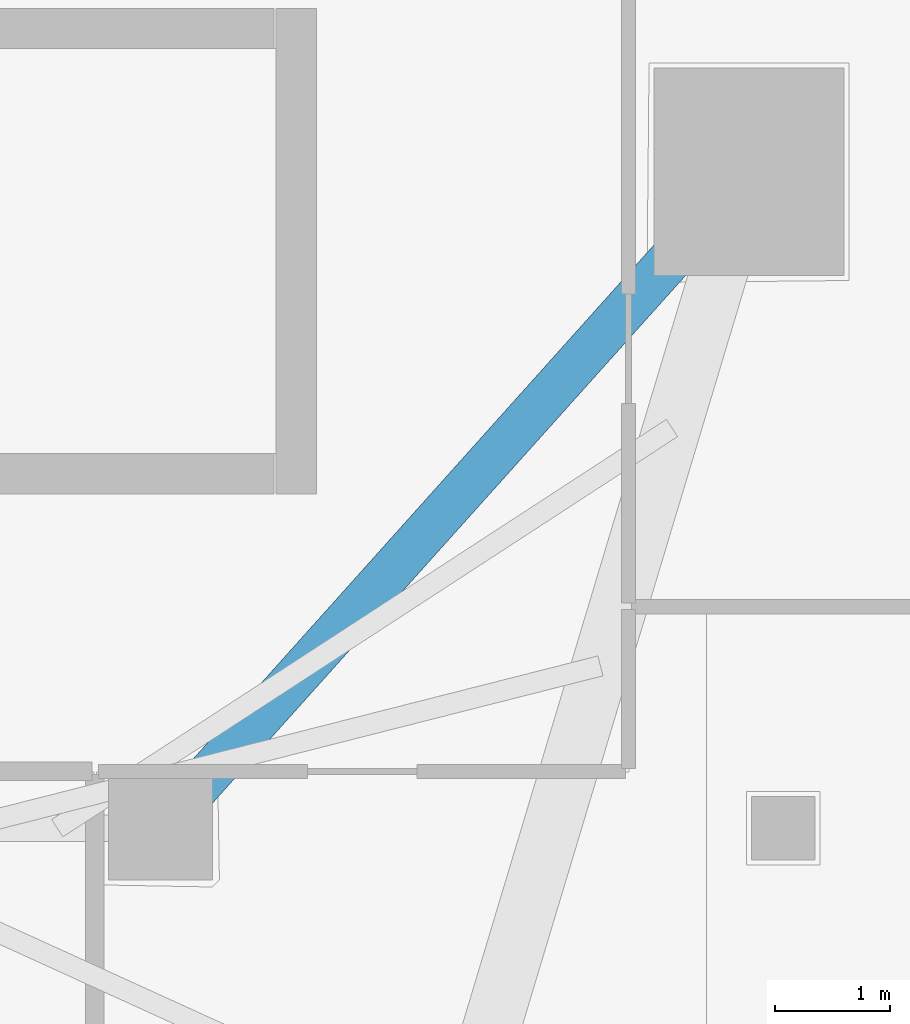
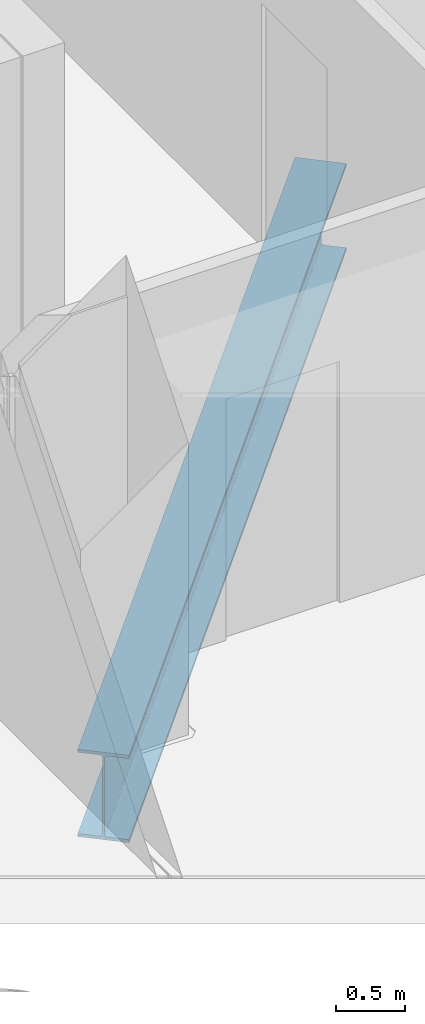
# One storey, part 12 of 36: 1 beam.
"""IFC4 building model written with IfcOpenShell, lengths in metres."""

from ifc_helpers import new_model, si_unit, direction, frame, origin, origin_2d, place, context, subcontext, project, spatial, i_section, extrude, material, material_profile, profile_set, type_object, element, save


model = new_model("IFC4")

# Units and contexts
model_context = context("Model", 3, precision=1e-05, world=origin(), true_north=direction((0.0, 1.0)))
body_context = subcontext(model_context, "Body", "Model", "MODEL_VIEW")
ifc_project = project(units=[si_unit("LENGTHUNIT", "METRE"), si_unit("AREAUNIT", "SQUARE_METRE"), si_unit("VOLUMEUNIT", "CUBIC_METRE"), si_unit("PLANEANGLEUNIT", "RADIAN"), si_unit("MASSUNIT", "GRAM", prefix="KILO")], contexts=[model_context])

# Site, building, storey
site_placement = place(None, origin())
site = spatial("IfcSite", under=ifc_project, at=site_placement, CompositionType="ELEMENT")
building_placement = place(site_placement, origin())
building = spatial("IfcBuilding", under=site, at=building_placement, Name="Qorvath Tower", CompositionType="ELEMENT")
storey_placement = place(building_placement, frame((0.0, 0.0, 241.5)))
storey = spatial("IfcBuildingStorey", under=building, at=storey_placement, Name="L56", CompositionType="ELEMENT", Elevation=241.5)

# Beam
ifc_material = material(Name="Steel ASTM A992 Grade 50", Category="steel")
ifc_material_profile = material_profile(ifc_material, i_section(OverallWidth=0.381103515625, OverallDepth=0.77294921875, WebThickness=0.0166015625, FlangeThickness=0.027099609375, FilletRadius=0.01904296875, at=origin_2d()), Name="W30x173")
ifc_profile_set = profile_set([ifc_material_profile], Name="Steel ASTM A992 Grade 50")
beam_type = type_object("IfcBeamType", Name="BM-FG3", PredefinedType="BEAM", material=ifc_profile_set)
beam_placement = place(storey_placement, frame((-17.199951171875, -11.449951171875, -0.656494140625), z_axis=(0.667543184261, 0.744571082669, 0.0), x_axis=(-0.744571082669, 0.667543184261, 0.0)))
element("IfcBeam", 1, at=beam_placement, inside=storey, type_object=beam_type, Name="Radial Floor Girder CC3-MC4 L56", PredefinedType="BEAM", context=body_context, shape_type="SweptSolid", body=[
    extrude(i_section(OverallWidth=0.381103515625, OverallDepth=0.77294921875, WebThickness=0.0166015625, FlangeThickness=0.027099609375, FilletRadius=0.01904296875, at=origin_2d()), origin(), (0.0, 0.0, 1.0), 7.644775390625),
])

save(model, "model.ifc")
